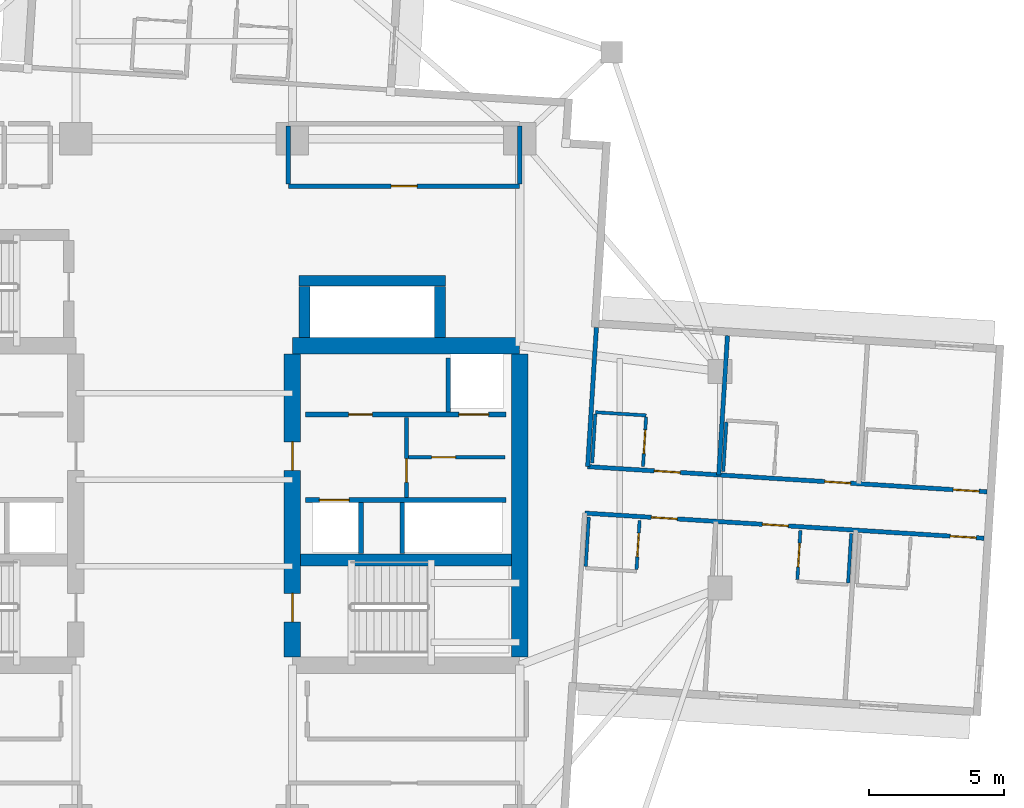
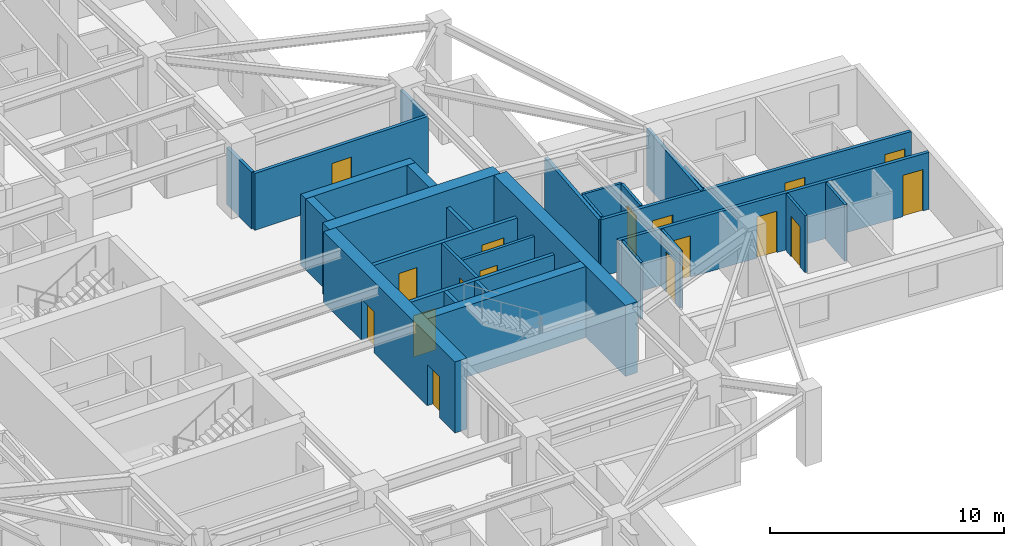
# One storey, part 7 of 14: 29 walls, 17 doors, 17 openings.
"""IFC4 building model written with IfcOpenShell, lengths in metres."""

from ifc_helpers import new_model, si_unit, direction, frame, frame_2d, origin, place, context, subcontext, project, spatial, rectangle, extrude, material, layer, layer_set, type_object, element, fill, save


model = new_model("IFC4")

# Units and contexts
model_context = context("Model", 3, precision=1e-05, world=origin(), true_north=direction((0.0, 1.0)))
body_context = subcontext(model_context, "Body", "Model", "MODEL_VIEW")
ifc_project = project(units=[si_unit("LENGTHUNIT", "METRE"), si_unit("AREAUNIT", "SQUARE_METRE"), si_unit("VOLUMEUNIT", "CUBIC_METRE"), si_unit("PLANEANGLEUNIT", "RADIAN"), si_unit("MASSUNIT", "GRAM", prefix="KILO")], contexts=[model_context])

# Site, building, storey
site_placement = place(None, origin())
site = spatial("IfcSite", under=ifc_project, at=site_placement, CompositionType="ELEMENT")
building_placement = place(site_placement, origin())
building = spatial("IfcBuilding", under=site, at=building_placement, Name="Qingluan Cross Belvedere", CompositionType="ELEMENT")
storey_placement = place(building_placement, frame((0.0, 0.0, 160.5)))
storey = spatial("IfcBuildingStorey", under=building, at=storey_placement, Name="L40", CompositionType="ELEMENT", Elevation=160.5)

# Walls
ifc_material_1 = material(Name="Concrete C50", Category="concrete")
ifc_layer_1 = layer(ifc_material_1, 0.449951171875, Name="CoreShearWall_450")
ifc_layer_set_1 = layer_set([ifc_layer_1], Name="Concrete C50")
wall_type_1 = type_object("IfcWallType", Name="CoreShearWall_450", PredefinedType="SHEAR", material=ifc_layer_set_1)
wall_1_placement = place(storey_placement, frame((4.304931640625, -2.9599609375, 0.0), z_axis=(0.0, 0.0, 1.0), x_axis=(1.0, 0.0, 0.0)))
element("IfcWall", 1, at=wall_1_placement, inside=storey, type_object=wall_type_1, Name="Split core E shear wall L40-M", PredefinedType="SHEAR", context=body_context, shape_type="SweptSolid", body=[
    extrude(rectangle(XDim=7.7900390625, YDim=0.449951171875, at=frame_2d((3.89501953125, 0.0))), origin(), (0.0, 0.0, 1.0), 3.699951171875),
])
wall_2_placement = place(storey_placement, frame((4.449951171875, 5.2548828125, 0.0), z_axis=(0.0, 0.0, 1.0), x_axis=(0.0, 1.0, 0.0)))
element("IfcWall", 2, at=wall_2_placement, inside=storey, type_object=wall_type_1, Name="Express shuttle core wall L40-W", PredefinedType="SHEAR", context=body_context, shape_type="SweptSolid", body=[
    extrude(rectangle(XDim=1.885009765625, YDim=0.39990234375, at=frame_2d((0.9423828125, 0.0))), origin(), (0.0, 0.0, 1.0), 3.699951171875),
])
wall_3_placement = place(storey_placement, frame((4.25, 7.35009765625, 0.0), z_axis=(0.0, 0.0, 1.0), x_axis=(1.0, 0.0, 0.0)))
element("IfcWall", 3, at=wall_3_placement, inside=storey, type_object=wall_type_1, Name="Express shuttle core wall L40-N", PredefinedType="SHEAR", context=body_context, shape_type="SweptSolid", body=[
    extrude(rectangle(XDim=5.39990234375, YDim=0.39990234375, at=frame_2d((2.699951171875, 0.0))), origin(), (0.0, 0.0, 1.0), 3.699951171875),
])
wall_4_placement = place(storey_placement, frame((9.449951171875, 5.2548828125, 0.0), z_axis=(0.0, 0.0, 1.0), x_axis=(0.0, 1.0, 0.0)))
element("IfcWall", 4, at=wall_4_placement, inside=storey, type_object=wall_type_1, Name="Express shuttle core wall L40-E", PredefinedType="SHEAR", context=body_context, shape_type="SweptSolid", body=[
    extrude(rectangle(XDim=1.885009765625, YDim=0.39990234375, at=frame_2d((0.9423828125, 0.0))), origin(), (0.0, 0.0, 1.0), 3.699951171875),
])
ifc_material_2 = material(Name="Concrete C60", Category="concrete")
ifc_layer_2 = layer(ifc_material_2, 0.60009765625, Name="CoreShearWall_600")
ifc_layer_set_2 = layer_set([ifc_layer_2], Name="Concrete C60")
wall_type_2 = type_object("IfcWallType", Name="CoreShearWall_600", PredefinedType="SHEAR", material=ifc_layer_set_2)
wall_5_placement = place(storey_placement, frame((4.0, 4.949951171875, 0.0), z_axis=(0.0, 0.0, 1.0), x_axis=(1.0, 0.0, 0.0)))
element("IfcWall", 5, at=wall_5_placement, inside=storey, type_object=wall_type_2, Name="Split core E shear wall L40-N", PredefinedType="SHEAR", context=body_context, shape_type="SweptSolid", body=[
    extrude(rectangle(XDim=8.39990234375, YDim=0.60009765625, at=frame_2d((4.199951171875, 0.0))), origin(), (0.0, 0.0, 1.0), 3.699951171875),
])

# Wall, openings, doors
wall_6_placement = place(storey_placement, frame((4.0, -6.544921875, 0.0), z_axis=(0.0, 0.0, 1.0), x_axis=(0.0, 1.0, 0.0)))
wall_6 = element("IfcWall", 6, at=wall_6_placement, inside=storey, type_object=wall_type_2, Name="Split core E shear wall L40-W", PredefinedType="SHEAR", context=body_context, shape_type="SweptSolid", body=[
    extrude(rectangle(XDim=11.18994140625, YDim=0.60009765625, at=frame_2d((5.594970703125, 0.0))), origin(), (0.0, 0.0, 1.0), 3.699951171875),
])
opening_1_placement = place(wall_6_placement, frame((1.294921875, 0.0, 0.0)))
opening_1 = element("IfcOpeningElement", 7, at=opening_1_placement, cuts=wall_6, Name="Opening FD-B11", PredefinedType="OPENING", context=body_context, shape_type="SweptSolid", body=[
    extrude(rectangle(XDim=1.050048828125, YDim=2.14990234375, at=frame_2d((0.52490234375, 1.074951171875))), frame((0.0, 0.31005859375, 0.0), z_axis=(0.0, -1.0, 0.0), x_axis=(1.0, 0.0, 0.0)), (0.0, 0.0, 1.0), 0.6201171875),
])
opening_2_placement = place(wall_6_placement, frame((6.89501953125, 0.0, 0.0)))
opening_2 = element("IfcOpeningElement", 8, at=opening_2_placement, cuts=wall_6, Name="Opening FD-B11", PredefinedType="OPENING", context=body_context, shape_type="SweptSolid", body=[
    extrude(rectangle(XDim=1.050048828125, YDim=2.14990234375, at=frame_2d((0.52490234375, 1.074951171875))), frame((0.0, 0.31005859375, 0.0), z_axis=(0.0, -1.0, 0.0), x_axis=(1.0, 0.0, 0.0)), (0.0, 0.0, 1.0), 0.6201171875),
])
ifc_material_3 = material(Name="Steel Class B smoke-seal fire door", Category="steel")
door_type_1 = type_object("IfcDoorType", Name="StairLobbyFireDoor_FDB", OperationType="NOTDEFINED", PredefinedType="DOOR", material=ifc_material_3)
door_1_placement = place(opening_1_placement, origin())
door_1 = element("IfcDoor", 9, at=door_1_placement, inside=storey, type_object=door_type_1, Name="Smoke-proof stair ST2 fire door L40", OperationType="SINGLE_SWING_LEFT", OverallHeight=2.14990234375, OverallWidth=1.050048828125, PredefinedType="DOOR", context=body_context, shape_type="SweptSolid", body=[
    extrude(rectangle(XDim=1.050048828125, YDim=2.14990234375, at=frame_2d((0.52490234375, 1.074951171875))), frame((0.0, 0.02490234375, 0.0), z_axis=(0.0, -1.0, 0.0), x_axis=(1.0, 0.0, 0.0)), (0.0, 0.0, 1.0), 0.050048828125),
])
fill(opening_1, door_1)
door_2_placement = place(opening_2_placement, origin())
door_2 = element("IfcDoor", 10, at=door_2_placement, inside=storey, type_object=door_type_1, Name="Firefighting lobby East fire door L40", OperationType="SINGLE_SWING_LEFT", OverallHeight=2.14990234375, OverallWidth=1.050048828125, PredefinedType="DOOR", context=body_context, shape_type="SweptSolid", body=[
    extrude(rectangle(XDim=1.050048828125, YDim=2.14990234375, at=frame_2d((0.52490234375, 1.074951171875))), frame((0.0, 0.02490234375, 0.0), z_axis=(0.0, -1.0, 0.0), x_axis=(1.0, 0.0, 0.0)), (0.0, 0.0, 1.0), 0.050048828125),
])
fill(opening_2, door_2)

# Wall
wall_7_placement = place(storey_placement, frame((12.39990234375, -6.544921875, 0.0), z_axis=(0.0, 0.0, 1.0), x_axis=(0.0, 1.0, 0.0)))
element("IfcWall", 11, at=wall_7_placement, inside=storey, type_object=wall_type_2, Name="Split core E shear wall L40-E", PredefinedType="SHEAR", context=body_context, shape_type="SweptSolid", body=[
    extrude(rectangle(XDim=11.18994140625, YDim=0.60009765625, at=frame_2d((5.594970703125, 0.0))), origin(), (0.0, 0.0, 1.0), 3.699951171875),
])

# Wall, opening, door
ifc_material_4 = material(Name="Gypsum plasterboard on steel stud acoustic partition", Category="steel")
ifc_layer_3 = layer(ifc_material_4, 0.159912109375, Name="CorridorPartition_160")
ifc_layer_set_3 = layer_set([ifc_layer_3], Name="Gypsum plasterboard on steel stud acoustic partition")
wall_type_3 = type_object("IfcWallType", Name="CorridorPartition_160", PredefinedType="PARTITIONING", material=ifc_layer_set_3)
wall_8_placement = place(storey_placement, frame((8.298095703125, 0.830078125, 0.0), z_axis=(0.0, 0.0, 1.0), x_axis=(1.0, 0.0, 0.0)))
wall_8 = element("IfcWall", 12, at=wall_8_placement, inside=storey, type_object=wall_type_3, Name="Partition L40:e", PredefinedType="PARTITIONING", context=body_context, shape_type="SweptSolid", body=[
    extrude(rectangle(XDim=3.552001953125, YDim=0.139892578125, at=frame_2d((1.77587890625, 0.0))), origin(), (0.0, 0.0, 1.0), 2.9599609375),
])
opening_3_placement = place(wall_8_placement, frame((0.85009765625, 0.0, 0.0)))
opening_3 = element("IfcOpeningElement", 13, at=opening_3_placement, cuts=wall_8, Name="Opening FD-B10", PredefinedType="OPENING", context=body_context, shape_type="SweptSolid", body=[
    extrude(rectangle(XDim=0.8798828125, YDim=2.10009765625, at=frame_2d((0.43994140625, 1.050048828125))), frame((0.0, 0.079833984375, 0.0), z_axis=(0.0, -1.0, 0.0), x_axis=(1.0, 0.0, 0.0)), (0.0, 0.0, 1.0), 0.159912109375),
])
ifc_material_5 = material(Name="Steel Class B service fire door", Category="steel")
door_type_2 = type_object("IfcDoorType", Name="RiserServiceFireDoor_FDB", OperationType="NOTDEFINED", PredefinedType="DOOR", material=ifc_material_5)
door_3_placement = place(opening_3_placement, origin())
door_3 = element("IfcDoor", 14, at=door_3_placement, inside=storey, type_object=door_type_2, Name="Service closet inner door L40", OperationType="SINGLE_SWING_RIGHT", OverallHeight=2.10009765625, OverallWidth=0.8798828125, PredefinedType="DOOR", context=body_context, shape_type="SweptSolid", body=[
    extrude(rectangle(XDim=0.8798828125, YDim=2.10009765625, at=frame_2d((0.43994140625, 1.050048828125))), frame((0.0, 0.02490234375, 0.0), z_axis=(0.0, -1.0, 0.0), x_axis=(1.0, 0.0, 0.0)), (0.0, 0.0, 1.0), 0.050048828125),
])
fill(opening_3, door_3)

wall_9_placement = place(storey_placement, frame((3.85009765625, 10.85009765625, 0.0), z_axis=(0.0, 0.0, 1.0), x_axis=(1.0, 0.0, 0.0)))
wall_9 = element("IfcWall", 15, at=wall_9_placement, inside=storey, type_object=wall_type_3, Name="Partition L40:q_ne:S", PredefinedType="PARTITIONING", context=body_context, shape_type="SweptSolid", body=[
    extrude(rectangle(XDim=8.5498046875, YDim=0.159912109375, at=frame_2d((4.27490234375, 0.0))), origin(), (0.0, 0.0, 1.0), 2.9599609375),
])
opening_4_placement = place(wall_9_placement, frame((3.794921875, 0.0, 0.0)))
opening_4 = element("IfcOpeningElement", 16, at=opening_4_placement, cuts=wall_9, Name="Opening GD-10", PredefinedType="OPENING", context=body_context, shape_type="SweptSolid", body=[
    extrude(rectangle(XDim=0.9599609375, YDim=2.14990234375, at=frame_2d((0.47998046875, 1.074951171875))), frame((0.0, 0.08984375, 0.0), z_axis=(0.0, -1.0, 0.0), x_axis=(1.0, 0.0, 0.0)), (0.0, 0.0, 1.0), 0.179931640625),
])
ifc_material_6 = material(Name="Timber oak fire-rated acoustic guestroom door", Category="wood")
door_type_3 = type_object("IfcDoorType", Name="GuestEntryDoor_FD60", OperationType="NOTDEFINED", PredefinedType="DOOR", material=ifc_material_6)
door_4_placement = place(opening_4_placement, origin())
door_4 = element("IfcDoor", 17, at=door_4_placement, inside=storey, type_object=door_type_3, Name="Yangtze view dining salon L40 door", OperationType="SINGLE_SWING_LEFT", OverallHeight=2.14990234375, OverallWidth=0.9599609375, PredefinedType="DOOR", context=body_context, shape_type="SweptSolid", body=[
    extrude(rectangle(XDim=0.9599609375, YDim=2.14990234375, at=frame_2d((0.47998046875, 1.074951171875))), frame((0.0, 0.02490234375, 0.0), z_axis=(0.0, -1.0, 0.0), x_axis=(1.0, 0.0, 0.0)), (0.0, 0.0, 1.0), 0.050048828125),
])
fill(opening_4, door_4)

# Walls
for number, where, z_axis, x_axis, name in (
    (18, (3.85009765625, 10.93505859375, 0.0), (0.0, 0.0, 1.0), (0.0, 1.0, 0.0), "Partition L40:q_ne:W"),
    (19, (12.39990234375, 10.93505859375, 0.0), (0.0, 0.0, 1.0), (0.0, 1.0, 0.0), "Partition L40:q_ne:E"),
):
    element("IfcWall", number, at=place(storey_placement, frame(where, z_axis=z_axis, x_axis=x_axis)), inside=storey, type_object=wall_type_3, Name=name, PredefinedType="PARTITIONING", context=body_context, shape_type="SweptSolid", body=[
        extrude(rectangle(XDim=2.1298828125, YDim=0.159912109375, at=frame_2d((1.06494140625, 0.0))), origin(), (0.0, 0.0, 1.0), 2.9599609375),
    ])

# Wall, openings, doors
wall_10_placement = place(storey_placement, frame((14.909912109375, 0.48486328125, 0.0), z_axis=(0.0, 0.0, 1.0), x_axis=(0.998026464074, -0.062794721174, 0.0)))
wall_10 = element("IfcWall", 20, at=wall_10_placement, inside=storey, type_object=wall_type_3, Name="Partition L40:E:c0", PredefinedType="PARTITIONING", context=body_context, shape_type="SweptSolid", body=[
    extrude(rectangle(XDim=14.78173828125, YDim=0.159912109375, at=frame_2d((7.390869140625, 0.0))), origin(), (0.0, 0.0, 1.0), 2.9599609375),
])
opening_5_placement = place(wall_10_placement, frame((2.465087890625, 0.0, 0.0)))
opening_5 = element("IfcOpeningElement", 21, at=opening_5_placement, cuts=wall_10, Name="Opening GD-10", PredefinedType="OPENING", context=body_context, shape_type="SweptSolid", body=[
    extrude(rectangle(XDim=0.9599609375, YDim=2.14990234375, at=frame_2d((0.47998046875, 1.074951171875))), frame((0.0, 0.08984375, 0.0), z_axis=(0.0, -1.0, 0.0), x_axis=(1.0, 0.0, 0.0)), (0.0, 0.0, 1.0), 0.179931640625),
])
opening_6_placement = place(wall_10_placement, frame((8.77294921875, 0.0, 0.0)))
opening_6 = element("IfcOpeningElement", 22, at=opening_6_placement, cuts=wall_10, Name="Opening GD-10", PredefinedType="OPENING", context=body_context, shape_type="SweptSolid", body=[
    extrude(rectangle(XDim=0.9599609375, YDim=2.14990234375, at=frame_2d((0.47998046875, 1.074951171875))), frame((0.0, 0.08984375, 0.0), z_axis=(0.0, -1.0, 0.0), x_axis=(1.0, 0.0, 0.0)), (0.0, 0.0, 1.0), 0.179931640625),
])
opening_7_placement = place(wall_10_placement, frame((13.530029296875, 0.0, 0.0)))
opening_7 = element("IfcOpeningElement", 23, at=opening_7_placement, cuts=wall_10, Name="Opening GD-10", PredefinedType="OPENING", context=body_context, shape_type="SweptSolid", body=[
    extrude(rectangle(XDim=0.9599609375, YDim=2.14990234375, at=frame_2d((0.47998046875, 1.074951171875))), frame((0.0, 0.08984375, 0.0), z_axis=(0.0, -1.0, 0.0), x_axis=(1.0, 0.0, 0.0)), (0.0, 0.0, 1.0), 0.179931640625),
])
door_5_placement = place(opening_5_placement, origin())
door_5 = element("IfcDoor", 24, at=door_5_placement, inside=storey, type_object=door_type_3, Name="Guest entry fire door 4001", OperationType="SINGLE_SWING_RIGHT", OverallHeight=2.14990234375, OverallWidth=0.9599609375, PredefinedType="DOOR", context=body_context, shape_type="SweptSolid", body=[
    extrude(rectangle(XDim=0.9599609375, YDim=2.14990234375, at=frame_2d((0.47998046875, 1.074951171875))), frame((0.0, 0.02490234375, 0.0), z_axis=(0.0, -1.0, 0.0), x_axis=(1.0, 0.0, 0.0)), (0.0, 0.0, 1.0), 0.050048828125),
])
fill(opening_5, door_5)
door_6_placement = place(opening_6_placement, origin())
door_6 = element("IfcDoor", 25, at=door_6_placement, inside=storey, type_object=door_type_3, Name="Guest entry fire door 4002", OperationType="SINGLE_SWING_RIGHT", OverallHeight=2.14990234375, OverallWidth=0.9599609375, PredefinedType="DOOR", context=body_context, shape_type="SweptSolid", body=[
    extrude(rectangle(XDim=0.9599609375, YDim=2.14990234375, at=frame_2d((0.47998046875, 1.074951171875))), frame((0.0, 0.02490234375, 0.0), z_axis=(0.0, -1.0, 0.0), x_axis=(1.0, 0.0, 0.0)), (0.0, 0.0, 1.0), 0.050048828125),
])
fill(opening_6, door_6)
door_7_placement = place(opening_7_placement, origin())
door_7 = element("IfcDoor", 26, at=door_7_placement, inside=storey, type_object=door_type_3, Name="Guest entry fire door 4003", OperationType="SINGLE_SWING_RIGHT", OverallHeight=2.14990234375, OverallWidth=0.9599609375, PredefinedType="DOOR", context=body_context, shape_type="SweptSolid", body=[
    extrude(rectangle(XDim=0.9599609375, YDim=2.14990234375, at=frame_2d((0.47998046875, 1.074951171875))), frame((0.0, 0.02490234375, 0.0), z_axis=(0.0, -1.0, 0.0), x_axis=(1.0, 0.0, 0.0)), (0.0, 0.0, 1.0), 0.050048828125),
])
fill(opening_7, door_7)

# Walls
for number, where, z_axis, x_axis, name in (
    (27, (14.909912109375, 0.48486328125, 0.0), (0.0, 0.0, 1.0), (0.06278835741, 0.998026864455, 0.0), "Partition L40:E:s0"),
    (28, (19.752197265625, 0.18017578125, 0.0), (0.0, 0.0, 1.0), (0.06278835741, 0.998026864455, 0.0), "Partition L40:E:d0_0"),
):
    element("IfcWall", number, at=place(storey_placement, frame(where, z_axis=z_axis, x_axis=x_axis)), inside=storey, type_object=wall_type_3, Name=name, PredefinedType="PARTITIONING", context=body_context, shape_type="SweptSolid", body=[
        extrude(rectangle(XDim=5.152099609375, YDim=0.159912109375, at=frame_2d((2.576171875, 0.0))), origin(), (0.0, 0.0, 1.0), 2.9599609375),
    ])

# Wall, openings, doors
wall_11_placement = place(storey_placement, frame((14.802001953125, -1.231689453125, 0.0), z_axis=(0.0, 0.0, 1.0), x_axis=(0.998026464074, -0.062794721174, 0.0)))
wall_11 = element("IfcWall", 29, at=wall_11_placement, inside=storey, type_object=wall_type_3, Name="Partition L40:E:c1", PredefinedType="PARTITIONING", context=body_context, shape_type="SweptSolid", body=[
    extrude(rectangle(XDim=14.78173828125, YDim=0.159912109375, at=frame_2d((7.390869140625, 0.0))), origin(), (0.0, 0.0, 1.0), 2.9599609375),
])
opening_8_placement = place(wall_11_placement, frame((2.465087890625, 0.0, 0.0)))
opening_8 = element("IfcOpeningElement", 30, at=opening_8_placement, cuts=wall_11, Name="Opening GD-10", PredefinedType="OPENING", context=body_context, shape_type="SweptSolid", body=[
    extrude(rectangle(XDim=0.9599609375, YDim=2.14990234375, at=frame_2d((0.47998046875, 1.074951171875))), frame((0.0, 0.08984375, 0.0), z_axis=(0.0, -1.0, 0.0), x_axis=(1.0, 0.0, 0.0)), (0.0, 0.0, 1.0), 0.179931640625),
])
opening_9_placement = place(wall_11_placement, frame((6.574951171875, 0.0, 0.0)))
opening_9 = element("IfcOpeningElement", 31, at=opening_9_placement, cuts=wall_11, Name="Opening GD-10", PredefinedType="OPENING", context=body_context, shape_type="SweptSolid", body=[
    extrude(rectangle(XDim=0.9599609375, YDim=2.14990234375, at=frame_2d((0.47998046875, 1.074951171875))), frame((0.0, 0.08984375, 0.0), z_axis=(0.0, -1.0, 0.0), x_axis=(1.0, 0.0, 0.0)), (0.0, 0.0, 1.0), 0.179931640625),
])
opening_10_placement = place(wall_11_placement, frame((13.530029296875, 0.0, 0.0)))
opening_10 = element("IfcOpeningElement", 32, at=opening_10_placement, cuts=wall_11, Name="Opening GD-10", PredefinedType="OPENING", context=body_context, shape_type="SweptSolid", body=[
    extrude(rectangle(XDim=0.9599609375, YDim=2.14990234375, at=frame_2d((0.47998046875, 1.074951171875))), frame((0.0, 0.08984375, 0.0), z_axis=(0.0, -1.0, 0.0), x_axis=(1.0, 0.0, 0.0)), (0.0, 0.0, 1.0), 0.179931640625),
])
door_8_placement = place(opening_8_placement, origin())
door_8 = element("IfcDoor", 33, at=door_8_placement, inside=storey, type_object=door_type_3, Name="Guest entry fire door 4004", OperationType="SINGLE_SWING_RIGHT", OverallHeight=2.14990234375, OverallWidth=0.9599609375, PredefinedType="DOOR", context=body_context, shape_type="SweptSolid", body=[
    extrude(rectangle(XDim=0.9599609375, YDim=2.14990234375, at=frame_2d((0.47998046875, 1.074951171875))), frame((0.0, 0.02490234375, 0.0), z_axis=(0.0, -1.0, 0.0), x_axis=(1.0, 0.0, 0.0)), (0.0, 0.0, 1.0), 0.050048828125),
])
fill(opening_8, door_8)
door_9_placement = place(opening_9_placement, origin())
door_9 = element("IfcDoor", 34, at=door_9_placement, inside=storey, type_object=door_type_3, Name="Guest entry fire door 4005", OperationType="SINGLE_SWING_RIGHT", OverallHeight=2.14990234375, OverallWidth=0.9599609375, PredefinedType="DOOR", context=body_context, shape_type="SweptSolid", body=[
    extrude(rectangle(XDim=0.9599609375, YDim=2.14990234375, at=frame_2d((0.47998046875, 1.074951171875))), frame((0.0, 0.02490234375, 0.0), z_axis=(0.0, -1.0, 0.0), x_axis=(1.0, 0.0, 0.0)), (0.0, 0.0, 1.0), 0.050048828125),
])
fill(opening_9, door_9)
door_10_placement = place(opening_10_placement, origin())
door_10 = element("IfcDoor", 35, at=door_10_placement, inside=storey, type_object=door_type_3, Name="Guest entry fire door 4006", OperationType="SINGLE_SWING_RIGHT", OverallHeight=2.14990234375, OverallWidth=0.9599609375, PredefinedType="DOOR", context=body_context, shape_type="SweptSolid", body=[
    extrude(rectangle(XDim=0.9599609375, YDim=2.14990234375, at=frame_2d((0.47998046875, 1.074951171875))), frame((0.0, 0.02490234375, 0.0), z_axis=(0.0, -1.0, 0.0), x_axis=(1.0, 0.0, 0.0)), (0.0, 0.0, 1.0), 0.050048828125),
])
fill(opening_10, door_10)

# Wall, opening, door
ifc_material_7 = material(Name="Moisture-resistant gypsum board lining")
ifc_layer_4 = layer(ifc_material_7, 0.1201171875, Name="EnsuiteWetPartition_120")
ifc_layer_set_4 = layer_set([ifc_layer_4], Name="Moisture-resistant gypsum board lining")
wall_type_4 = type_object("IfcWallType", Name="EnsuiteWetPartition_120", PredefinedType="PARTITIONING", material=ifc_layer_set_4)
wall_12_placement = place(storey_placement, frame((16.95458984375, 0.496337890625, 0.0), z_axis=(0.0, 0.0, 1.0), x_axis=(0.062779145668, 0.998027443946, 0.0)))
wall_12 = element("IfcWall", 36, at=wall_12_placement, inside=storey, type_object=wall_type_4, Name="Partition L40:E:bs0_0", PredefinedType="PARTITIONING", context=body_context, shape_type="SweptSolid", body=[
    extrude(rectangle(XDim=1.820068359375, YDim=0.1201171875, at=frame_2d((0.91015625, 0.0))), origin(), (0.0, 0.0, 1.0), 2.9599609375),
])
opening_11_placement = place(wall_12_placement, frame((0.469970703125, 0.0, 0.0)))
opening_11 = element("IfcOpeningElement", 37, at=opening_11_placement, cuts=wall_12, Name="Opening BD-09", PredefinedType="OPENING", context=body_context, shape_type="SweptSolid", body=[
    extrude(rectangle(XDim=0.8798828125, YDim=2.10009765625, at=frame_2d((0.43994140625, 1.050048828125))), frame((0.0, 0.070068359375, 0.0), z_axis=(0.0, -1.0, 0.0), x_axis=(1.0, 0.0, 0.0)), (0.0, 0.0, 1.0), 0.14013671875),
])
ifc_material_8 = material(Name="Moisture-sealed timber en-suite door", Category="wood")
door_type_4 = type_object("IfcDoorType", Name="BathroomDoor_880", OperationType="NOTDEFINED", PredefinedType="DOOR", material=ifc_material_8)
door_11_placement = place(opening_11_placement, origin())
door_11 = element("IfcDoor", 38, at=door_11_placement, inside=storey, type_object=door_type_4, Name="Bathroom door 4001", OperationType="SINGLE_SWING_LEFT", OverallHeight=2.10009765625, OverallWidth=0.8798828125, PredefinedType="DOOR", context=body_context, shape_type="SweptSolid", body=[
    extrude(rectangle(XDim=0.8798828125, YDim=2.10009765625, at=frame_2d((0.43994140625, 1.050048828125))), frame((0.0, 0.02490234375, 0.0), z_axis=(0.0, -1.0, 0.0), x_axis=(1.0, 0.0, 0.0)), (0.0, 0.0, 1.0), 0.050048828125),
])
fill(opening_11, door_11)

# Walls
wall_13_placement = place(storey_placement, frame((15.078369140625, 0.614501953125, 0.0), z_axis=(0.0, 0.0, 1.0), x_axis=(0.062779145668, 0.998027443946, 0.0)))
element("IfcWall", 39, at=wall_13_placement, inside=storey, type_object=wall_type_4, Name="Partition L40:E:bw0_0", PredefinedType="PARTITIONING", context=body_context, shape_type="SweptSolid", body=[
    extrude(rectangle(XDim=1.820068359375, YDim=0.1201171875, at=frame_2d((0.91015625, 0.0))), origin(), (0.0, 0.0, 1.0), 2.9599609375),
])
wall_14_placement = place(storey_placement, frame((15.19677734375, 2.49560546875, 0.0), z_axis=(0.0, 0.0, 1.0), x_axis=(0.998030789148, -0.062725942896, 0.0)))
element("IfcWall", 40, at=wall_14_placement, inside=storey, type_object=wall_type_4, Name="Partition L40:E:bn0_0", PredefinedType="PARTITIONING", context=body_context, shape_type="SweptSolid", body=[
    extrude(rectangle(XDim=1.8798828125, YDim=0.1201171875, at=frame_2d((0.93994140625, 0.0))), origin(), (0.0, 0.0, 1.0), 2.9599609375),
])
wall_15_placement = place(storey_placement, frame((19.9208984375, 0.309814453125, 0.0), z_axis=(0.0, 0.0, 1.0), x_axis=(0.062645529196, 0.998035839873, 0.0)))
element("IfcWall", 41, at=wall_15_placement, inside=storey, type_object=wall_type_4, Name="Partition L40:E:bw0_1", PredefinedType="PARTITIONING", context=body_context, shape_type="SweptSolid", body=[
    extrude(rectangle(XDim=1.820068359375, YDim=0.1201171875, at=frame_2d((0.91015625, 0.0))), origin(), (0.0, 0.0, 1.0), 2.9599609375),
])

# Wall, opening, door
wall_16_placement = place(storey_placement, frame((16.71484375, -3.316162109375, 0.0), z_axis=(0.0, 0.0, 1.0), x_axis=(0.062779145668, 0.998027443946, 0.0)))
wall_16 = element("IfcWall", 42, at=wall_16_placement, inside=storey, type_object=wall_type_4, Name="Partition L40:E:bs1_0", PredefinedType="PARTITIONING", context=body_context, shape_type="SweptSolid", body=[
    extrude(rectangle(XDim=1.820068359375, YDim=0.1201171875, at=frame_2d((0.91015625, 0.0))), origin(), (0.0, 0.0, 1.0), 2.9599609375),
])
opening_12_placement = place(wall_16_placement, frame((0.469970703125, 0.0, 0.0)))
opening_12 = element("IfcOpeningElement", 43, at=opening_12_placement, cuts=wall_16, Name="Opening BD-09", PredefinedType="OPENING", context=body_context, shape_type="SweptSolid", body=[
    extrude(rectangle(XDim=0.8798828125, YDim=2.10009765625, at=frame_2d((0.43994140625, 1.050048828125))), frame((0.0, 0.070068359375, 0.0), z_axis=(0.0, -1.0, 0.0), x_axis=(1.0, 0.0, 0.0)), (0.0, 0.0, 1.0), 0.14013671875),
])
door_12_placement = place(opening_12_placement, origin())
door_12 = element("IfcDoor", 44, at=door_12_placement, inside=storey, type_object=door_type_4, Name="Bathroom door 4004", OperationType="SINGLE_SWING_LEFT", OverallHeight=2.10009765625, OverallWidth=0.8798828125, PredefinedType="DOOR", context=body_context, shape_type="SweptSolid", body=[
    extrude(rectangle(XDim=0.8798828125, YDim=2.10009765625, at=frame_2d((0.43994140625, 1.050048828125))), frame((0.0, 0.02490234375, 0.0), z_axis=(0.0, -1.0, 0.0), x_axis=(1.0, 0.0, 0.0)), (0.0, 0.0, 1.0), 0.050048828125),
])
fill(opening_12, door_12)

# Wall
wall_17_placement = place(storey_placement, frame((14.83837890625, -3.197998046875, 0.0), z_axis=(0.0, 0.0, 1.0), x_axis=(0.062912758763, 0.998019030272, 0.0)))
element("IfcWall", 45, at=wall_17_placement, inside=storey, type_object=wall_type_4, Name="Partition L40:E:bw1_0", PredefinedType="PARTITIONING", context=body_context, shape_type="SweptSolid", body=[
    extrude(rectangle(XDim=1.820068359375, YDim=0.1201171875, at=frame_2d((0.91015625, 0.0))), origin(), (0.0, 0.0, 1.0), 2.9599609375),
])

# Wall, opening, door
wall_18_placement = place(storey_placement, frame((22.656005859375, -3.68994140625, 0.0), z_axis=(0.0, 0.0, 1.0), x_axis=(0.062779145668, 0.998027443946, 0.0)))
wall_18 = element("IfcWall", 46, at=wall_18_placement, inside=storey, type_object=wall_type_4, Name="Partition L40:E:bs1_1", PredefinedType="PARTITIONING", context=body_context, shape_type="SweptSolid", body=[
    extrude(rectangle(XDim=1.820068359375, YDim=0.1201171875, at=frame_2d((0.91015625, 0.0))), origin(), (0.0, 0.0, 1.0), 2.9599609375),
])
opening_13_placement = place(wall_18_placement, frame((0.469970703125, 0.0, 0.0)))
opening_13 = element("IfcOpeningElement", 47, at=opening_13_placement, cuts=wall_18, Name="Opening BD-09", PredefinedType="OPENING", context=body_context, shape_type="SweptSolid", body=[
    extrude(rectangle(XDim=0.8798828125, YDim=2.10009765625, at=frame_2d((0.43994140625, 1.050048828125))), frame((0.0, 0.070068359375, 0.0), z_axis=(0.0, -1.0, 0.0), x_axis=(1.0, 0.0, 0.0)), (0.0, 0.0, 1.0), 0.14013671875),
])
door_13_placement = place(opening_13_placement, origin())
door_13 = element("IfcDoor", 48, at=door_13_placement, inside=storey, type_object=door_type_4, Name="Bathroom door 4005", OperationType="SINGLE_SWING_LEFT", OverallHeight=2.10009765625, OverallWidth=0.8798828125, PredefinedType="DOOR", context=body_context, shape_type="SweptSolid", body=[
    extrude(rectangle(XDim=0.8798828125, YDim=2.10009765625, at=frame_2d((0.43994140625, 1.050048828125))), frame((0.0, 0.02490234375, 0.0), z_axis=(0.0, -1.0, 0.0), x_axis=(1.0, 0.0, 0.0)), (0.0, 0.0, 1.0), 0.050048828125),
])
fill(opening_13, door_13)

# Wall
wall_19_placement = place(storey_placement, frame((24.5322265625, -3.807861328125, 0.0), z_axis=(0.0, 0.0, 1.0), x_axis=(0.062779145668, 0.998027443946, 0.0)))
element("IfcWall", 49, at=wall_19_placement, inside=storey, type_object=wall_type_4, Name="Partition L40:E:bw1_1", PredefinedType="PARTITIONING", context=body_context, shape_type="SweptSolid", body=[
    extrude(rectangle(XDim=1.820068359375, YDim=0.1201171875, at=frame_2d((0.91015625, 0.0))), origin(), (0.0, 0.0, 1.0), 2.9599609375),
])

# Wall, openings, doors
ifc_material_9 = material(Name="Concrete C40", Category="concrete")
ifc_layer_5 = layer(ifc_material_9, 0.219970703125, Name="ShaftEnclosureWall_250")
ifc_layer_set_5 = layer_set([ifc_layer_5], Name="Concrete C40")
wall_type_5 = type_object("IfcWallType", Name="ShaftEnclosureWall_250", PredefinedType="SOLIDWALL", material=ifc_layer_set_5)
wall_20_placement = place(storey_placement, frame((4.47998046875, 2.409912109375, 0.0), z_axis=(0.0, 0.0, 1.0), x_axis=(1.0, 0.0, 0.0)))
wall_20 = element("IfcWall", 50, at=wall_20_placement, inside=storey, type_object=wall_type_5, Name="Core-E north hoistway wall L40", PredefinedType="SOLIDWALL", context=body_context, shape_type="SweptSolid", body=[
    extrude(rectangle(XDim=7.419921875, YDim=0.179931640625, at=frame_2d((3.7099609375, 0.0))), origin(), (0.0, 0.0, 1.0), 2.9599609375),
])
opening_14_placement = place(wall_20_placement, frame((5.669921875, 0.0, 0.0)))
opening_14 = element("IfcOpeningElement", 51, at=opening_14_placement, cuts=wall_20, Name="Opening LD-11", PredefinedType="OPENING", context=body_context, shape_type="SweptSolid", body=[
    extrude(rectangle(XDim=1.10009765625, YDim=2.14990234375, at=frame_2d((0.550048828125, 1.074951171875))), frame((0.0, 0.099853515625, 0.0), z_axis=(0.0, -1.0, 0.0), x_axis=(1.0, 0.0, 0.0)), (0.0, 0.0, 1.0), 0.199951171875),
])
opening_15_placement = place(wall_20_placement, frame((1.60009765625, 0.0, 0.0)))
opening_15 = element("IfcOpeningElement", 52, at=opening_15_placement, cuts=wall_20, Name="Opening FD-B10", PredefinedType="OPENING", context=body_context, shape_type="SweptSolid", body=[
    extrude(rectangle(XDim=0.8798828125, YDim=2.10009765625, at=frame_2d((0.43994140625, 1.050048828125))), frame((0.0, 0.099853515625, 0.0), z_axis=(0.0, -1.0, 0.0), x_axis=(1.0, 0.0, 0.0)), (0.0, 0.0, 1.0), 0.199951171875),
])
ifc_material_10 = material(Name="Brushed stainless steel centre-opening lift landing door", Category="steel")
door_type_5 = type_object("IfcDoorType", Name="LiftLandingSlidingDoor_1100", OperationType="DOUBLE_DOOR_SLIDING", PredefinedType="DOOR", material=ifc_material_10)
door_14_placement = place(opening_14_placement, origin())
door_14 = element("IfcDoor", 53, at=door_14_placement, inside=storey, type_object=door_type_5, Name="Lift landing sliding door FL2 L40", OperationType="DOUBLE_DOOR_SLIDING", OverallHeight=2.14990234375, OverallWidth=1.10009765625, PredefinedType="DOOR", context=body_context, shape_type="SweptSolid", body=[
    extrude(rectangle(XDim=1.10009765625, YDim=2.14990234375, at=frame_2d((0.550048828125, 1.074951171875))), frame((0.0, 0.02490234375, 0.0), z_axis=(0.0, -1.0, 0.0), x_axis=(1.0, 0.0, 0.0)), (0.0, 0.0, 1.0), 0.050048828125),
])
fill(opening_14, door_14)
door_15_placement = place(opening_15_placement, origin())
door_15 = element("IfcDoor", 54, at=door_15_placement, inside=storey, type_object=door_type_2, Name="Pantry room door E L40", OperationType="SINGLE_SWING_RIGHT", OverallHeight=2.10009765625, OverallWidth=0.8798828125, PredefinedType="DOOR", context=body_context, shape_type="SweptSolid", body=[
    extrude(rectangle(XDim=0.8798828125, YDim=2.10009765625, at=frame_2d((0.43994140625, 1.050048828125))), frame((0.0, 0.02490234375, 0.0), z_axis=(0.0, -1.0, 0.0), x_axis=(1.0, 0.0, 0.0)), (0.0, 0.0, 1.0), 0.050048828125),
])
fill(opening_15, door_15)

# Wall, opening, door
wall_21_placement = place(storey_placement, frame((4.47998046875, -0.75, 0.0), z_axis=(0.0, 0.0, 1.0), x_axis=(1.0, 0.0, 0.0)))
wall_21 = element("IfcWall", 55, at=wall_21_placement, inside=storey, type_object=wall_type_5, Name="Core-E mid hoistway wall L40", PredefinedType="SOLIDWALL", context=body_context, shape_type="SweptSolid", body=[
    extrude(rectangle(XDim=7.419921875, YDim=0.179931640625, at=frame_2d((3.7099609375, 0.0))), origin(), (0.0, 0.0, 1.0), 2.9599609375),
])
opening_16_placement = place(wall_21_placement, frame((0.52001953125, 0.0, 0.0)))
opening_16 = element("IfcOpeningElement", 56, at=opening_16_placement, cuts=wall_21, Name="Opening LD-11", PredefinedType="OPENING", context=body_context, shape_type="SweptSolid", body=[
    extrude(rectangle(XDim=1.10009765625, YDim=2.14990234375, at=frame_2d((0.550048828125, 1.074951171875))), frame((0.0, 0.099853515625, 0.0), z_axis=(0.0, -1.0, 0.0), x_axis=(1.0, 0.0, 0.0)), (0.0, 0.0, 1.0), 0.199951171875),
])
door_16_placement = place(opening_16_placement, origin())
door_16 = element("IfcDoor", 57, at=door_16_placement, inside=storey, type_object=door_type_5, Name="Lift landing sliding door LP7 L40", OperationType="DOUBLE_DOOR_SLIDING", OverallHeight=2.14990234375, OverallWidth=1.10009765625, PredefinedType="DOOR", context=body_context, shape_type="SweptSolid", body=[
    extrude(rectangle(XDim=1.10009765625, YDim=2.14990234375, at=frame_2d((0.550048828125, 1.074951171875))), frame((0.0, 0.02490234375, 0.0), z_axis=(0.0, -1.0, 0.0), x_axis=(1.0, 0.0, 0.0)), (0.0, 0.0, 1.0), 0.050048828125),
])
fill(opening_16, door_16)

# Walls
wall_22_placement = place(storey_placement, frame((9.760009765625, 2.5, 0.0), z_axis=(0.0, 0.0, 1.0), x_axis=(0.0, 1.0, 0.0)))
element("IfcWall", 58, at=wall_22_placement, inside=storey, type_object=wall_type_5, Name="Hoistway enclosure divider FL2W L40", PredefinedType="SOLIDWALL", context=body_context, shape_type="SweptSolid", body=[
    extrude(rectangle(XDim=1.989990234375, YDim=0.179931640625, at=frame_2d((0.9951171875, 0.0))), origin(), (0.0, 0.0, 1.0), 2.9599609375),
])
for number, where, z_axis, x_axis, name in (
    (59, (6.5400390625, -2.72998046875, 0.0), (0.0, 0.0, 1.0), (0.0, 1.0, 0.0), "Hoistway enclosure divider LP7E L40"),
    (60, (8.06005859375, -2.72998046875, 0.0), (0.0, 0.0, 1.0), (0.0, 1.0, 0.0), "Hoistway enclosure divider LP9W L40"),
):
    element("IfcWall", number, at=place(storey_placement, frame(where, z_axis=z_axis, x_axis=x_axis)), inside=storey, type_object=wall_type_5, Name=name, PredefinedType="SOLIDWALL", context=body_context, shape_type="SweptSolid", body=[
        extrude(rectangle(XDim=1.889892578125, YDim=0.179931640625, at=frame_2d((0.94482421875, 0.0))), origin(), (0.0, 0.0, 1.0), 2.9599609375),
    ])

# Wall, opening, door
wall_23_placement = place(storey_placement, frame((8.219970703125, -0.64990234375, 0.0), z_axis=(0.0, 0.0, 1.0), x_axis=(0.0, 1.0, 0.0)))
wall_23 = element("IfcWall", 61, at=wall_23_placement, inside=storey, type_object=wall_type_5, Name="Core-E service corridor wall L40", PredefinedType="SOLIDWALL", context=body_context, shape_type="SweptSolid", body=[
    extrude(rectangle(XDim=2.9599609375, YDim=0.139892578125, at=frame_2d((1.47998046875, 0.0))), origin(), (0.0, 0.0, 1.0), 2.9599609375),
])
opening_17_placement = place(wall_23_placement, frame((0.550048828125, 0.0, 0.0)))
opening_17 = element("IfcOpeningElement", 62, at=opening_17_placement, cuts=wall_23, Name="Opening FD-B10", PredefinedType="OPENING", context=body_context, shape_type="SweptSolid", body=[
    extrude(rectangle(XDim=0.8798828125, YDim=2.10009765625, at=frame_2d((0.43994140625, 1.050048828125))), frame((0.0, 0.079833984375, 0.0), z_axis=(0.0, -1.0, 0.0), x_axis=(1.0, 0.0, 0.0)), (0.0, 0.0, 1.0), 0.159912109375),
])
door_17_placement = place(opening_17_placement, origin())
door_17 = element("IfcDoor", 63, at=door_17_placement, inside=storey, type_object=door_type_2, Name="Core-E service room door L40", OperationType="SINGLE_SWING_RIGHT", OverallHeight=2.10009765625, OverallWidth=0.8798828125, PredefinedType="DOOR", context=body_context, shape_type="SweptSolid", body=[
    extrude(rectangle(XDim=0.8798828125, YDim=2.10009765625, at=frame_2d((0.43994140625, 1.050048828125))), frame((0.0, 0.02490234375, 0.0), z_axis=(0.0, -1.0, 0.0), x_axis=(1.0, 0.0, 0.0)), (0.0, 0.0, 1.0), 0.050048828125),
])
fill(opening_17, door_17)

save(model, "model.ifc")
